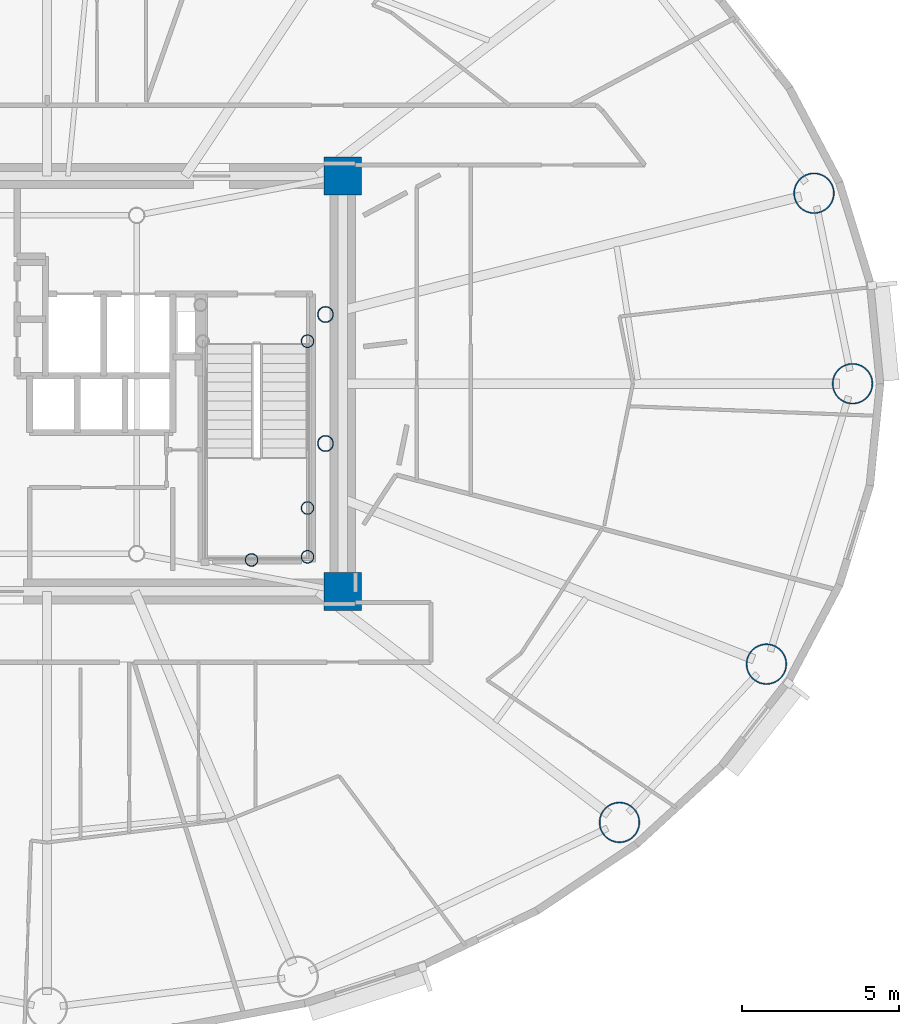
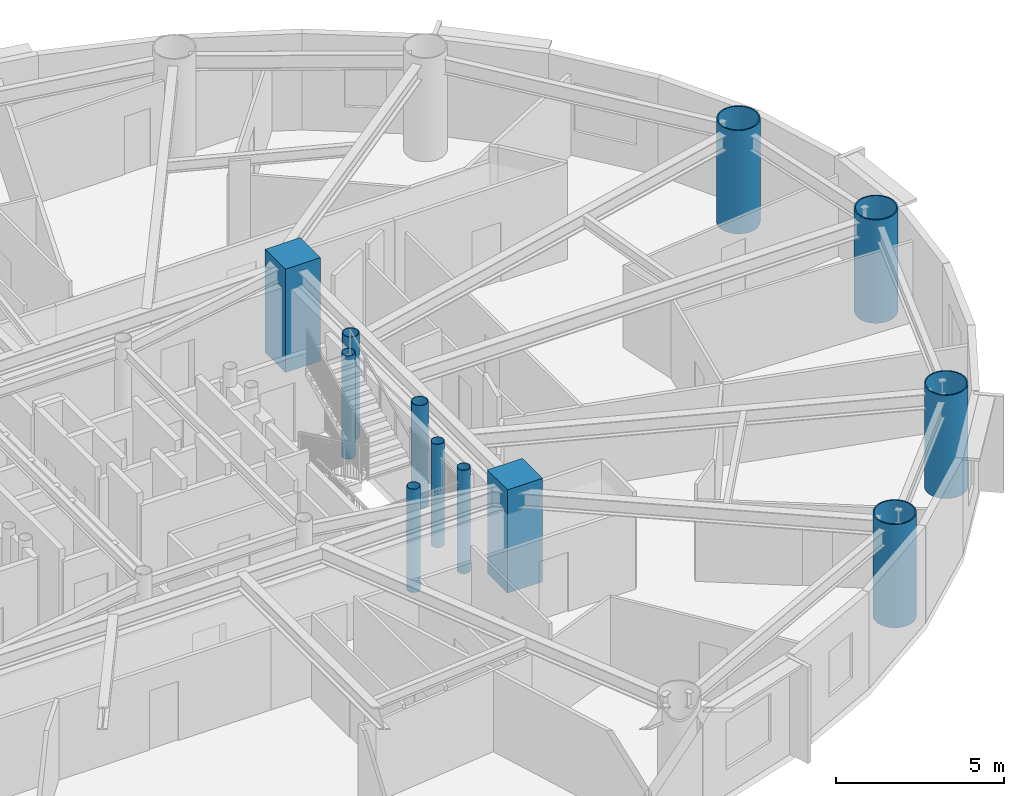
# One storey, part 2 of 17: 12 columns.
"""IFC4 building model written with IfcOpenShell, lengths in metres."""

import ifcopenshell
import ifcopenshell.guid

model = None  # the IFC model being written
_history = None  # IfcOwnerHistory: only IFC2X3 demands one
_inside = {}  # id of a spatial element -> (the spatial element, [elements in it])
_under = {}  # id of a project, library or spatial element -> (it, [spatial elements below it])
_declared = {}  # id of a project -> (the project, [libraries it declares])
_typed = {}  # id of a type object -> (the type object, [elements of that type])
_made_of = {}  # id of a material, layer set ... -> (it, [elements and type objects made of it])


def new_model(schema):
    """Start an empty IFC model of exactly this schema.

    Asked for "IFC4X3", IfcOpenShell would pick the latest addendum, in which some entities
    have other attributes; the version numbers below select the first issue.
    IFC2X3 requires an IfcOwnerHistory on every rooted entity: one is made here for all.
    """
    global model, _history
    if schema == "IFC4X3":
        model = ifcopenshell.file(schema_version=(4, 3, 0, 0))
    else:
        model = ifcopenshell.file(schema=schema)
    _inside.clear()
    _under.clear()
    _declared.clear()
    _typed.clear()
    _made_of.clear()
    _history = None
    if model.schema == "IFC2X3":
        org = make("IfcOrganization", Name="unknown")
        user = make(
            "IfcPersonAndOrganization",
            ThePerson=make("IfcPerson", FamilyName="unknown"),
            TheOrganization=org,
        )
        app = make(
            "IfcApplication",
            ApplicationDeveloper=org,
            Version="unknown",
            ApplicationFullName="unknown",
            ApplicationIdentifier="unknown",
        )
        _history = make(
            "IfcOwnerHistory",
            OwningUser=user,
            OwningApplication=app,
            ChangeAction="ADDED",
            CreationDate=0,
        )
    return model


def make(cls, **values):
    """One entity of the class cls with the attributes given. An attribute that is None is left unset."""
    return model.create_entity(
        cls, **{name: value for name, value in values.items() if value is not None}
    )


def rooted(cls, **values):
    """An entity with a GlobalId (a new one), such as an element, a storey or a relation."""
    return make(cls, GlobalId=ifcopenshell.guid.new(), OwnerHistory=_history, **values)


def si_unit(unit_type, name, prefix=None):
    """IfcSIUnit, for example si_unit("LENGTHUNIT", "METRE", prefix="MILLI")."""
    return make("IfcSIUnit", UnitType=unit_type, Prefix=prefix, Name=name)


def assignment(units):
    """IfcUnitAssignment: the units of a project."""
    return None if units is None else make("IfcUnitAssignment", Units=units)


def point(xyz):
    """IfcCartesianPoint."""
    return None if xyz is None else make("IfcCartesianPoint", Coordinates=xyz)


def direction(xyz):
    """IfcDirection."""
    return None if xyz is None else make("IfcDirection", DirectionRatios=xyz)


def frame(location, z_axis=None, x_axis=None):
    """IfcAxis2Placement3D, a coordinate frame: its origin and axes. An axis left out is left unset."""
    return make(
        "IfcAxis2Placement3D",
        Location=point(location),
        Axis=direction(z_axis),
        RefDirection=direction(x_axis),
    )


def frame_2d(location, x_axis=None):
    """IfcAxis2Placement2D, a coordinate frame in the plane: its origin and x axis."""
    return make(
        "IfcAxis2Placement2D", Location=point(location), RefDirection=direction(x_axis)
    )


def origin():
    """The frame at (0, 0, 0) with its axes left unset."""
    return frame((0.0, 0.0, 0.0))


def origin_2d():
    """The frame at (0, 0) in the plane with its x axis left unset."""
    return frame_2d((0.0, 0.0))


def place(relative_to, where):
    """IfcLocalPlacement: puts the frame where relative to a parent placement (None: the world)."""
    return make(
        "IfcLocalPlacement", PlacementRelTo=relative_to, RelativePlacement=where
    )


def context(
    kind, dimensions, precision=None, world=None, true_north=None, identifier=None
):
    """IfcGeometricRepresentationContext, for example the 3D "Model" context."""
    return make(
        "IfcGeometricRepresentationContext",
        ContextIdentifier=identifier,
        ContextType=kind,
        CoordinateSpaceDimension=dimensions,
        Precision=precision,
        WorldCoordinateSystem=world,
        TrueNorth=true_north,
    )


def subcontext(parent, identifier, kind, view, scale=None):
    """IfcGeometricRepresentationSubContext, for example "Body" below "Model"."""
    return make(
        "IfcGeometricRepresentationSubContext",
        ContextIdentifier=identifier,
        ContextType=kind,
        ParentContext=parent,
        TargetScale=scale,
        TargetView=view,
    )


def project(units=None, contexts=None):
    """IfcProject with its units and contexts."""
    return rooted(
        "IfcProject",
        Name="project",
        RepresentationContexts=contexts,
        UnitsInContext=assignment(units),
    )


def spatial(cls, under=None, at=None, **own):
    """A site, building, storey or space (cls), placed at a placement, below another one or the project."""
    s = rooted(cls, ObjectPlacement=at, **own)
    if under is not None:
        _under.setdefault(under.id(), (under, []))[1].append(s)
    return s


def profile(cls, at=None, kind="AREA", **sizes):
    """A parametric profile (cls). Its sizes go by their IFC names, for example OverallWidth=200.0."""
    return make(cls, ProfileType=kind, Position=at, **sizes)


def rectangle(**sizes):
    """IfcRectangleProfileDef."""
    return profile("IfcRectangleProfileDef", **sizes)


def hollow_circle(**sizes):
    """IfcCircleHollowProfileDef."""
    return profile("IfcCircleHollowProfileDef", **sizes)


def extrude(swept, where, along, depth):
    """IfcExtrudedAreaSolid: the profile swept, set in the frame where, extruded along a direction by depth."""
    return make(
        "IfcExtrudedAreaSolid",
        SweptArea=swept,
        Position=where,
        ExtrudedDirection=direction(along),
        Depth=depth,
    )


def shape(context_of_items, identifier, shape_type, items):
    """IfcShapeRepresentation: the items that make up one representation, for example the "Body"."""
    return make(
        "IfcShapeRepresentation",
        ContextOfItems=context_of_items,
        RepresentationIdentifier=identifier,
        RepresentationType=shape_type,
        Items=items,
    )


def material(Name=None, Category=None):
    """IfcMaterial."""
    return make("IfcMaterial", Name=Name, Category=Category)


def material_profile(
    of_material, cross_section, Name=None, Category=None, Priority=None
):
    """IfcMaterialProfile: a cross section and its material."""
    return make(
        "IfcMaterialProfile",
        Name=Name,
        Material=of_material,
        Profile=cross_section,
        Priority=Priority,
        Category=Category,
    )


def profile_set(profiles, Name=None, composite=None):
    """IfcMaterialProfileSet."""
    return make(
        "IfcMaterialProfileSet",
        Name=Name,
        MaterialProfiles=profiles,
        CompositeProfile=composite,
    )


def made_of(thing, what):
    """Note that an element or type object is made of a material, layer set ...; save() writes the relation."""
    if what is not None:
        _made_of.setdefault(what.id(), (what, []))[1].append(thing)
    return thing


def type_object(cls, material=None, **own):
    """A type object (cls), such as IfcWallType, which elements share."""
    return made_of(rooted(cls, **own), material)


def element(
    cls,
    number,
    at=None,
    inside=None,
    cuts=None,
    type_object=None,
    material=None,
    context=None,
    identifier="Body",
    shape_type=None,
    held_by="IfcProductDefinitionShape",
    body=None,
    shapes=None,
    **own,
):
    """One element of the class cls, such as IfcWall. Its Tag is "e" and its number.

    at: its placement. inside: the storey or other place that contains it. cuts: it is an
    opening in that element (IfcRelVoidsElement). A single representation is given by context,
    identifier, shape_type and body (its items); several are given by shapes. held_by: the class
    of the entity that holds the representations. save() writes the other relations.
    """
    e = rooted(cls, Tag="e%d" % number, ObjectPlacement=at, **own)
    if body is not None:
        shapes = [shape(context, identifier, shape_type, body)]
    if shapes is not None:
        e.Representation = make(held_by, Representations=shapes)
    if inside is not None:
        _inside.setdefault(inside.id(), (inside, []))[1].append(e)
    if cuts is not None:
        rooted(
            "IfcRelVoidsElement", RelatingBuildingElement=cuts, RelatedOpeningElement=e
        )
    if type_object is not None:
        _typed.setdefault(type_object.id(), (type_object, []))[1].append(e)
    return made_of(e, material)


def aggregate(whole, parts):
    """IfcRelAggregates: a whole, such as a stair, and the parts it consists of."""
    return rooted("IfcRelAggregates", RelatingObject=whole, RelatedObjects=parts)


def save(model, path):
    """Write the relations noted so far, then the file.

    IfcRelAggregates (storeys below a building ...), IfcRelContainedInSpatialStructure (elements
    in a storey), IfcRelDefinesByType, IfcRelAssociatesMaterial and IfcRelDeclares: one each for
    every whole, place, type object, material and project.
    """
    for whole, parts in _under.values():
        aggregate(whole, parts)
    for where, things in _inside.values():
        rooted(
            "IfcRelContainedInSpatialStructure",
            RelatedElements=things,
            RelatingStructure=where,
        )
    for kind, things in _typed.values():
        rooted("IfcRelDefinesByType", RelatedObjects=things, RelatingType=kind)
    for what, things in _made_of.values():
        rooted("IfcRelAssociatesMaterial", RelatedObjects=things, RelatingMaterial=what)
    for by, libraries in _declared.values():
        rooted("IfcRelDeclares", RelatingContext=by, RelatedDefinitions=libraries)
    model.write(path)


model = new_model("IFC4")

# Units and contexts
model_context = context("Model", 3, precision=1e-05, world=origin(), true_north=direction((0.0, 1.0)))
body_context = subcontext(model_context, "Body", "Model", "MODEL_VIEW")
ifc_project = project(units=[si_unit("LENGTHUNIT", "METRE"), si_unit("AREAUNIT", "SQUARE_METRE"), si_unit("VOLUMEUNIT", "CUBIC_METRE"), si_unit("PLANEANGLEUNIT", "RADIAN"), si_unit("MASSUNIT", "GRAM", prefix="KILO")], contexts=[model_context])

# Site, building, storey
site_placement = place(None, origin())
site = spatial("IfcSite", under=ifc_project, at=site_placement, CompositionType="ELEMENT")
building_placement = place(site_placement, origin())
building = spatial("IfcBuilding", under=site, at=building_placement, Name="Linh Dai School and Residence Tower", CompositionType="ELEMENT")
storey_placement = place(building_placement, frame((0.0, 0.0, 182.39990234375)))
storey = spatial("IfcBuildingStorey", under=building, at=storey_placement, Name="L44", CompositionType="ELEMENT", Elevation=182.39990234375)

# Columns
ifc_material_1 = material(Name="Concrete B60 (C50/60)", Category="concrete")
ifc_material_profile_1 = material_profile(ifc_material_1, rectangle(XDim=1.199951171875, YDim=1.199951171875, at=origin_2d()), Name="RC 1200x1200")
ifc_profile_set_1 = profile_set([ifc_material_profile_1], Name="Concrete B60 (C50/60)")
column_type_1 = type_object("IfcColumnType", Name="COL-CC2", PredefinedType="COLUMN", material=ifc_profile_set_1)
for number, where, z_axis, x_axis, name in (
    (1, (45.39990234375, 20.39990234375, 0.0), (0.0, 0.0, 1.0), (1.0, 0.0, 0.0), "L44 Core Corner Pier CC2"),
    (2, (45.39990234375, 33.60009765625, 0.0), (0.0, 0.0, 1.0), (1.0, 0.0, 0.0), "L44 Core Corner Pier CC3"),
):
    element("IfcColumn", number, at=place(storey_placement, frame(where, z_axis=z_axis, x_axis=x_axis)), inside=storey, type_object=column_type_1, Name=name, PredefinedType="COLUMN", context=body_context, shape_type="SweptSolid", body=[
        extrude(rectangle(XDim=1.199951171875, YDim=1.199951171875, at=origin_2d()), origin(), (0.0, 0.0, 1.0), 3.75),
    ])
ifc_material_2 = material(Name="Structural Steel S355JR", Category="steel")
ifc_material_profile_2 = material_profile(ifc_material_2, hollow_circle(Radius=0.203125, WallThickness=0.01611328125, at=origin_2d()), Name="CHS 406.4x16")
ifc_profile_set_2 = profile_set([ifc_material_profile_2], Name="Structural Steel S355JR")
column_type_2 = type_object("IfcColumnType", Name="COL-EC", PredefinedType="COLUMN", material=ifc_profile_set_2)
for number, where, z_axis, x_axis, name in (
    (3, (44.280029296875, 21.5, 0.0), (0.0, 0.0, 1.0), (1.0, 0.0, 0.0), "L44 Stair Shaft Landing Support Pier ST2SE"),
    (4, (44.280029296875, 23.050048828125, 0.0), (0.0, 0.0, 1.0), (1.0, 0.0, 0.0), "L44 Stair Shaft Landing Support Pier ST2NE"),
    (5, (42.5, 21.39990234375, 0.0), (0.0, 0.0, 1.0), (1.0, 0.0, 0.0), "L44 Stair Shaft Landing Support Pier ST2MS"),
    (6, (44.280029296875, 28.35009765625, 0.0), (0.0, 0.0, 1.0), (1.0, 0.0, 0.0), "L44 Stair Shaft Landing Support Pier ST2N2"),
):
    element("IfcColumn", number, at=place(storey_placement, frame(where, z_axis=z_axis, x_axis=x_axis)), inside=storey, type_object=column_type_2, Name=name, PredefinedType="COLUMN", context=body_context, shape_type="SweptSolid", body=[
        extrude(hollow_circle(Radius=0.203125, WallThickness=0.01611328125, at=origin_2d()), origin(), (0.0, 0.0, 1.0), 3.75),
    ])
ifc_material_profile_3 = material_profile(ifc_material_2, hollow_circle(Radius=0.64990234375, WallThickness=0.0400390625, at=origin_2d()), Name="CHS 1300x40")
ifc_profile_set_3 = profile_set([ifc_material_profile_3], Name="Structural Steel S355JR")
column_type_3 = type_object("IfcColumnType", Name="COL-MC4", PredefinedType="COLUMN", material=ifc_profile_set_3)
for number, where, z_axis, x_axis, name in (
    (7, (61.60009765625, 27.0, 0.0), (0.0, 0.0, 1.0), (1.0, 0.0, 0.0), "L44 Perimeter CFT Mega-Column MC01"),
    (8, (60.37451171875, 33.053466796875, 0.0), (0.0, 0.0, 1.0), (1.0, 0.0, 0.0), "L44 Perimeter CFT Mega-Column MC02"),
    (9, (54.1923828125, 13.058349609375, 0.0), (0.0, 0.0, 1.0), (1.0, 0.0, 0.0), "L44 Perimeter CFT Mega-Column MC15"),
    (10, (58.862548828125, 18.0888671875, 0.0), (0.0, 0.0, 1.0), (1.0, 0.0, 0.0), "L44 Perimeter CFT Mega-Column MC16"),
):
    element("IfcColumn", number, at=place(storey_placement, frame(where, z_axis=z_axis, x_axis=x_axis)), inside=storey, type_object=column_type_3, Name=name, PredefinedType="COLUMN", context=body_context, shape_type="SweptSolid", body=[
        extrude(hollow_circle(Radius=0.64990234375, WallThickness=0.0400390625, at=origin_2d()), origin(), (0.0, 0.0, 1.0), 3.75),
    ])
ifc_material_profile_4 = material_profile(ifc_material_2, hollow_circle(Radius=0.25390625, WallThickness=0.02001953125, at=origin_2d()), Name="CHS 508x20")
ifc_profile_set_4 = profile_set([ifc_material_profile_4], Name="Structural Steel S355JR")
column_type_4 = type_object("IfcColumnType", Name="COL-MCP", PredefinedType="COLUMN", material=ifc_profile_set_4)
for number, where, z_axis, x_axis, name in (
    (11, (44.85009765625, 25.10009765625, 0.0), (0.0, 0.0, 1.0), (1.0, 0.0, 0.0), "L44 Sky-Lounge Core Anchor Pier S"),
    (12, (44.85009765625, 29.199951171875, 0.0), (0.0, 0.0, 1.0), (1.0, 0.0, 0.0), "L44 Sky-Lounge Core Anchor Pier N"),
):
    element("IfcColumn", number, at=place(storey_placement, frame(where, z_axis=z_axis, x_axis=x_axis)), inside=storey, type_object=column_type_4, Name=name, PredefinedType="COLUMN", context=body_context, shape_type="SweptSolid", body=[
        extrude(hollow_circle(Radius=0.25390625, WallThickness=0.02001953125, at=origin_2d()), origin(), (0.0, 0.0, 1.0), 3.75),
    ])

save(model, "model.ifc")
